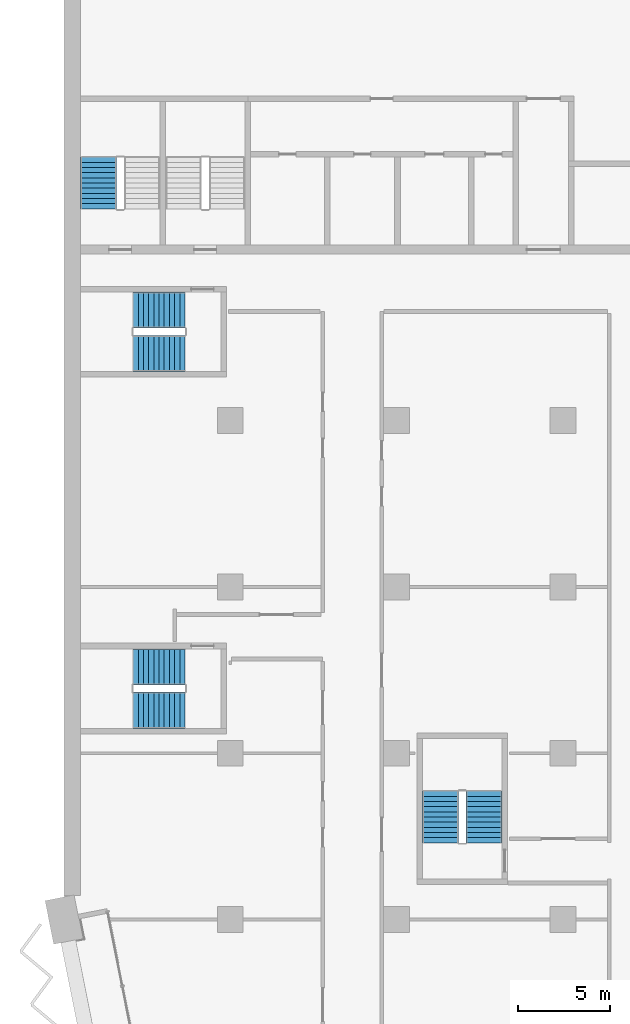
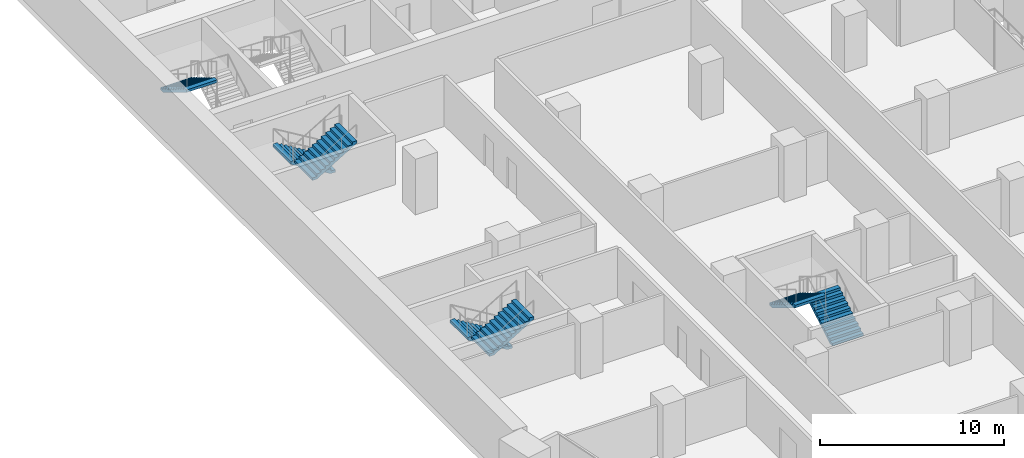
# One storey, part 20 of 29: 7 stair flights, 4 elements without a shape of their own.
"""IFC4 building model written with IfcOpenShell, lengths in metres."""

from ifc_helpers import new_model, si_unit, direction, frame, origin, place, context, subcontext, project, spatial, polyline, outline, extrude, material, type_object, element, aggregate, save


model = new_model("IFC4")

# Units and contexts
model_context = context("Model", 3, precision=1e-05, world=origin(), true_north=direction((0.0, 1.0)))
body_context = subcontext(model_context, "Body", "Model", "MODEL_VIEW")
ifc_project = project(units=[si_unit("LENGTHUNIT", "METRE"), si_unit("AREAUNIT", "SQUARE_METRE"), si_unit("VOLUMEUNIT", "CUBIC_METRE"), si_unit("PLANEANGLEUNIT", "RADIAN"), si_unit("MASSUNIT", "GRAM", prefix="KILO")], contexts=[model_context])

# Site, building, storey
site_placement = place(None, origin())
site = spatial("IfcSite", under=ifc_project, at=site_placement, CompositionType="ELEMENT")
building_placement = place(site_placement, origin())
building = spatial("IfcBuilding", under=site, at=building_placement, Name="Hunhe Ridgeline Campus", CompositionType="ELEMENT")
storey_placement = place(building_placement, frame((0.0, 0.0, 65.39990234375)))
storey = spatial("IfcBuildingStorey", under=building, at=storey_placement, Name="L15", CompositionType="ELEMENT", Elevation=65.39990234375)

# Stair, stair flight
ifc_material = material(Name="Concrete C40", Category="concrete")
stair_type = type_object("IfcStairType", Name="Reinforced concrete dog-leg stair 1950 Concrete C40", PredefinedType="HALF_TURN_STAIR", material=ifc_material)
stair_1_placement = place(storey_placement, origin())
stair_1 = element("IfcStair", 1, at=stair_1_placement, inside=storey, type_object=stair_type, Name="L15 S3", PredefinedType="HALF_TURN_STAIR")
stair_flight_type = type_object("IfcStairFlightType", Name="Reinforced concrete stair flight 1950 Concrete C40", PredefinedType="STRAIGHT", material=ifc_material)
stair_flight_1_placement = place(storey_placement, frame((1.875, 68.25, 1.85009765625), z_axis=(0.0, 0.0, 1.0), x_axis=(0.0, -1.0, 0.0)))
stair_flight_1 = element("IfcStairFlight", 2, at=stair_flight_1_placement, type_object=stair_flight_type, Name="ST3 flight 2", NumberOfRisers=11, NumberOfTreads=10, PredefinedType="STRAIGHT", RiserHeight=0.168181818, TreadLength=0.28, context=body_context, shape_type="SweptSolid", body=[
    extrude(outline(polyline([(0.0, 0.0), (0.0, 0.168212890625), (0.280029296875, 0.168212890625), (0.280029296875, 0.33642578125), (0.56005859375, 0.33642578125), (0.56005859375, 0.504638671875), (0.840087890625, 0.504638671875), (0.840087890625, 0.672607421875), (1.1201171875, 0.672607421875), (1.1201171875, 0.8408203125), (1.39990234375, 0.8408203125), (1.39990234375, 1.009033203125), (1.679931640625, 1.009033203125), (1.679931640625, 1.17724609375), (1.9599609375, 1.17724609375), (1.9599609375, 1.345458984375), (2.239990234375, 1.345458984375), (2.239990234375, 1.513671875), (2.52001953125, 1.513671875), (2.52001953125, 1.681884765625), (2.800048828125, 1.681884765625), (2.800048828125, 1.85009765625), (2.800048828125, 1.5068359375), (0.291015625, 0.0), (0.0, 0.0)])), frame((0.0, 0.97509765625, 0.0), z_axis=(0.0, -1.0, 0.0), x_axis=(1.0, 0.0, 0.0)), (0.0, 0.0, 1.0), 1.949951171875),
    extrude(outline(polyline([(0.030029296875, 0.030029296875), (0.030029296875, 0.13818359375), (0.31005859375, 0.13818359375), (0.31005859375, 0.306396484375), (0.590087890625, 0.306396484375), (0.590087890625, 0.474609375), (0.8701171875, 0.474609375), (0.8701171875, 0.642578125), (1.14990234375, 0.642578125), (1.14990234375, 0.810791015625), (1.429931640625, 0.810791015625), (1.429931640625, 0.97900390625), (1.7099609375, 0.97900390625), (1.7099609375, 1.147216796875), (1.989990234375, 1.147216796875), (1.989990234375, 1.3154296875), (2.27001953125, 1.3154296875), (2.27001953125, 1.483642578125), (2.550048828125, 1.483642578125), (2.550048828125, 1.65185546875), (2.77001953125, 1.65185546875), (2.77001953125, 1.52392578125), (0.28271484375, 0.030029296875), (0.030029296875, 0.030029296875)])), frame((0.0, -0.070068359375, 0.0), z_axis=(0.0, -1.0, 0.0), x_axis=(1.0, 0.0, 0.0)), (0.0, 0.0, 1.0), 0.019775390625),
    extrude(outline(polyline([(0.030029296875, 0.030029296875), (0.030029296875, 0.13818359375), (0.31005859375, 0.13818359375), (0.31005859375, 0.306396484375), (0.590087890625, 0.306396484375), (0.590087890625, 0.474609375), (0.8701171875, 0.474609375), (0.8701171875, 0.642578125), (1.14990234375, 0.642578125), (1.14990234375, 0.810791015625), (1.429931640625, 0.810791015625), (1.429931640625, 0.97900390625), (1.7099609375, 0.97900390625), (1.7099609375, 1.147216796875), (1.989990234375, 1.147216796875), (1.989990234375, 1.3154296875), (2.27001953125, 1.3154296875), (2.27001953125, 1.483642578125), (2.550048828125, 1.483642578125), (2.550048828125, 1.65185546875), (2.77001953125, 1.65185546875), (2.77001953125, 1.52392578125), (0.28271484375, 0.030029296875), (0.030029296875, 0.030029296875)])), frame((0.0, 0.010009765625, 0.0), z_axis=(0.0, -1.0, 0.0), x_axis=(1.0, 0.0, 0.0)), (0.0, 0.0, 1.0), 0.019775390625),
    extrude(outline(polyline([(0.030029296875, 0.030029296875), (0.030029296875, 0.13818359375), (0.31005859375, 0.13818359375), (0.31005859375, 0.306396484375), (0.590087890625, 0.306396484375), (0.590087890625, 0.474609375), (0.8701171875, 0.474609375), (0.8701171875, 0.642578125), (1.14990234375, 0.642578125), (1.14990234375, 0.810791015625), (1.429931640625, 0.810791015625), (1.429931640625, 0.97900390625), (1.7099609375, 0.97900390625), (1.7099609375, 1.147216796875), (1.989990234375, 1.147216796875), (1.989990234375, 1.3154296875), (2.27001953125, 1.3154296875), (2.27001953125, 1.483642578125), (2.550048828125, 1.483642578125), (2.550048828125, 1.65185546875), (2.77001953125, 1.65185546875), (2.77001953125, 1.52392578125), (0.28271484375, 0.030029296875), (0.030029296875, 0.030029296875)])), frame((0.0, 0.090087890625, 0.0), z_axis=(0.0, -1.0, 0.0), x_axis=(1.0, 0.0, 0.0)), (0.0, 0.0, 1.0), 0.019775390625),
])
aggregate(stair_1, [stair_flight_1])

# Stair, stair flights
stair_2_placement = place(storey_placement, origin())
stair_2 = element("IfcStair", 3, at=stair_2_placement, inside=storey, type_object=stair_type, Name="L15 W3", PredefinedType="HALF_TURN_STAIR")
stair_flight_2_placement = place(storey_placement, frame((22.72509765625, 31.14990234375, 0.0), z_axis=(0.0, 0.0, 1.0), x_axis=(0.0, 1.0, 0.0)))
stair_flight_2 = element("IfcStairFlight", 4, at=stair_flight_2_placement, type_object=stair_flight_type, Name="ST9 flight 1", NumberOfRisers=11, NumberOfTreads=10, PredefinedType="STRAIGHT", RiserHeight=0.168181818, TreadLength=0.28, context=body_context, shape_type="SweptSolid", body=[
    extrude(outline(polyline([(0.0, 0.0), (0.0, 0.168212890625), (0.280029296875, 0.168212890625), (0.280029296875, 0.33642578125), (0.56005859375, 0.33642578125), (0.56005859375, 0.504638671875), (0.840087890625, 0.504638671875), (0.840087890625, 0.672607421875), (1.1201171875, 0.672607421875), (1.1201171875, 0.8408203125), (1.39990234375, 0.8408203125), (1.39990234375, 1.009033203125), (1.679931640625, 1.009033203125), (1.679931640625, 1.17724609375), (1.9599609375, 1.17724609375), (1.9599609375, 1.345458984375), (2.239990234375, 1.345458984375), (2.239990234375, 1.513671875), (2.52001953125, 1.513671875), (2.52001953125, 1.681884765625), (2.800048828125, 1.681884765625), (2.800048828125, 1.85009765625), (2.800048828125, 1.5068359375), (0.291015625, 0.0), (0.0, 0.0)])), frame((0.0, 0.97509765625, 0.0), z_axis=(0.0, -1.0, 0.0), x_axis=(1.0, 0.0, 0.0)), (0.0, 0.0, 1.0), 1.949951171875),
    extrude(outline(polyline([(0.030029296875, 0.030029296875), (0.030029296875, 0.13818359375), (0.31005859375, 0.13818359375), (0.31005859375, 0.306396484375), (0.590087890625, 0.306396484375), (0.590087890625, 0.474609375), (0.8701171875, 0.474609375), (0.8701171875, 0.642578125), (1.14990234375, 0.642578125), (1.14990234375, 0.810791015625), (1.429931640625, 0.810791015625), (1.429931640625, 0.97900390625), (1.7099609375, 0.97900390625), (1.7099609375, 1.147216796875), (1.989990234375, 1.147216796875), (1.989990234375, 1.3154296875), (2.27001953125, 1.3154296875), (2.27001953125, 1.483642578125), (2.550048828125, 1.483642578125), (2.550048828125, 1.65185546875), (2.77001953125, 1.65185546875), (2.77001953125, 1.52392578125), (0.28271484375, 0.030029296875), (0.030029296875, 0.030029296875)])), frame((0.0, -0.070068359375, 0.0), z_axis=(0.0, -1.0, 0.0), x_axis=(1.0, 0.0, 0.0)), (0.0, 0.0, 1.0), 0.019775390625),
    extrude(outline(polyline([(0.030029296875, 0.030029296875), (0.030029296875, 0.13818359375), (0.31005859375, 0.13818359375), (0.31005859375, 0.306396484375), (0.590087890625, 0.306396484375), (0.590087890625, 0.474609375), (0.8701171875, 0.474609375), (0.8701171875, 0.642578125), (1.14990234375, 0.642578125), (1.14990234375, 0.810791015625), (1.429931640625, 0.810791015625), (1.429931640625, 0.97900390625), (1.7099609375, 0.97900390625), (1.7099609375, 1.147216796875), (1.989990234375, 1.147216796875), (1.989990234375, 1.3154296875), (2.27001953125, 1.3154296875), (2.27001953125, 1.483642578125), (2.550048828125, 1.483642578125), (2.550048828125, 1.65185546875), (2.77001953125, 1.65185546875), (2.77001953125, 1.52392578125), (0.28271484375, 0.030029296875), (0.030029296875, 0.030029296875)])), frame((0.0, 0.010009765625, 0.0), z_axis=(0.0, -1.0, 0.0), x_axis=(1.0, 0.0, 0.0)), (0.0, 0.0, 1.0), 0.019775390625),
    extrude(outline(polyline([(0.030029296875, 0.030029296875), (0.030029296875, 0.13818359375), (0.31005859375, 0.13818359375), (0.31005859375, 0.306396484375), (0.590087890625, 0.306396484375), (0.590087890625, 0.474609375), (0.8701171875, 0.474609375), (0.8701171875, 0.642578125), (1.14990234375, 0.642578125), (1.14990234375, 0.810791015625), (1.429931640625, 0.810791015625), (1.429931640625, 0.97900390625), (1.7099609375, 0.97900390625), (1.7099609375, 1.147216796875), (1.989990234375, 1.147216796875), (1.989990234375, 1.3154296875), (2.27001953125, 1.3154296875), (2.27001953125, 1.483642578125), (2.550048828125, 1.483642578125), (2.550048828125, 1.65185546875), (2.77001953125, 1.65185546875), (2.77001953125, 1.52392578125), (0.28271484375, 0.030029296875), (0.030029296875, 0.030029296875)])), frame((0.0, 0.090087890625, 0.0), z_axis=(0.0, -1.0, 0.0), x_axis=(1.0, 0.0, 0.0)), (0.0, 0.0, 1.0), 0.019775390625),
])
stair_flight_3_placement = place(storey_placement, frame((20.375, 33.949951171875, 1.85009765625), z_axis=(0.0, 0.0, 1.0), x_axis=(0.0, -1.0, 0.0)))
stair_flight_3 = element("IfcStairFlight", 5, at=stair_flight_3_placement, type_object=stair_flight_type, Name="ST9 flight 2", NumberOfRisers=11, NumberOfTreads=10, PredefinedType="STRAIGHT", RiserHeight=0.168181818, TreadLength=0.28, context=body_context, shape_type="SweptSolid", body=[
    extrude(outline(polyline([(0.0, 0.0), (0.0, 0.168212890625), (0.280029296875, 0.168212890625), (0.280029296875, 0.33642578125), (0.56005859375, 0.33642578125), (0.56005859375, 0.504638671875), (0.840087890625, 0.504638671875), (0.840087890625, 0.672607421875), (1.1201171875, 0.672607421875), (1.1201171875, 0.8408203125), (1.39990234375, 0.8408203125), (1.39990234375, 1.009033203125), (1.679931640625, 1.009033203125), (1.679931640625, 1.17724609375), (1.9599609375, 1.17724609375), (1.9599609375, 1.345458984375), (2.239990234375, 1.345458984375), (2.239990234375, 1.513671875), (2.52001953125, 1.513671875), (2.52001953125, 1.681884765625), (2.800048828125, 1.681884765625), (2.800048828125, 1.85009765625), (2.800048828125, 1.5068359375), (0.291015625, 0.0), (0.0, 0.0)])), frame((0.0, 0.97509765625, 0.0), z_axis=(0.0, -1.0, 0.0), x_axis=(1.0, 0.0, 0.0)), (0.0, 0.0, 1.0), 1.949951171875),
    extrude(outline(polyline([(0.030029296875, 0.030029296875), (0.030029296875, 0.13818359375), (0.31005859375, 0.13818359375), (0.31005859375, 0.306396484375), (0.590087890625, 0.306396484375), (0.590087890625, 0.474609375), (0.8701171875, 0.474609375), (0.8701171875, 0.642578125), (1.14990234375, 0.642578125), (1.14990234375, 0.810791015625), (1.429931640625, 0.810791015625), (1.429931640625, 0.97900390625), (1.7099609375, 0.97900390625), (1.7099609375, 1.147216796875), (1.989990234375, 1.147216796875), (1.989990234375, 1.3154296875), (2.27001953125, 1.3154296875), (2.27001953125, 1.483642578125), (2.550048828125, 1.483642578125), (2.550048828125, 1.65185546875), (2.77001953125, 1.65185546875), (2.77001953125, 1.52392578125), (0.28271484375, 0.030029296875), (0.030029296875, 0.030029296875)])), frame((0.0, -0.070068359375, 0.0), z_axis=(0.0, -1.0, 0.0), x_axis=(1.0, 0.0, 0.0)), (0.0, 0.0, 1.0), 0.019775390625),
    extrude(outline(polyline([(0.030029296875, 0.030029296875), (0.030029296875, 0.13818359375), (0.31005859375, 0.13818359375), (0.31005859375, 0.306396484375), (0.590087890625, 0.306396484375), (0.590087890625, 0.474609375), (0.8701171875, 0.474609375), (0.8701171875, 0.642578125), (1.14990234375, 0.642578125), (1.14990234375, 0.810791015625), (1.429931640625, 0.810791015625), (1.429931640625, 0.97900390625), (1.7099609375, 0.97900390625), (1.7099609375, 1.147216796875), (1.989990234375, 1.147216796875), (1.989990234375, 1.3154296875), (2.27001953125, 1.3154296875), (2.27001953125, 1.483642578125), (2.550048828125, 1.483642578125), (2.550048828125, 1.65185546875), (2.77001953125, 1.65185546875), (2.77001953125, 1.52392578125), (0.28271484375, 0.030029296875), (0.030029296875, 0.030029296875)])), frame((0.0, 0.010009765625, 0.0), z_axis=(0.0, -1.0, 0.0), x_axis=(1.0, 0.0, 0.0)), (0.0, 0.0, 1.0), 0.019775390625),
    extrude(outline(polyline([(0.030029296875, 0.030029296875), (0.030029296875, 0.13818359375), (0.31005859375, 0.13818359375), (0.31005859375, 0.306396484375), (0.590087890625, 0.306396484375), (0.590087890625, 0.474609375), (0.8701171875, 0.474609375), (0.8701171875, 0.642578125), (1.14990234375, 0.642578125), (1.14990234375, 0.810791015625), (1.429931640625, 0.810791015625), (1.429931640625, 0.97900390625), (1.7099609375, 0.97900390625), (1.7099609375, 1.147216796875), (1.989990234375, 1.147216796875), (1.989990234375, 1.3154296875), (2.27001953125, 1.3154296875), (2.27001953125, 1.483642578125), (2.550048828125, 1.483642578125), (2.550048828125, 1.65185546875), (2.77001953125, 1.65185546875), (2.77001953125, 1.52392578125), (0.28271484375, 0.030029296875), (0.030029296875, 0.030029296875)])), frame((0.0, 0.090087890625, 0.0), z_axis=(0.0, -1.0, 0.0), x_axis=(1.0, 0.0, 0.0)), (0.0, 0.0, 1.0), 0.019775390625),
])
aggregate(stair_2, [stair_flight_2, stair_flight_3])

stair_3_placement = place(storey_placement, origin())
stair_3 = element("IfcStair", 6, at=stair_3_placement, inside=storey, type_object=stair_type, Name="L15 W1", PredefinedType="HALF_TURN_STAIR")
stair_flight_4_placement = place(storey_placement, frame((6.550048828125, 40.675048828125, 0.0), z_axis=(0.0, 0.0, 1.0), x_axis=(-1.0, 0.0, 0.0)))
stair_flight_4 = element("IfcStairFlight", 7, at=stair_flight_4_placement, type_object=stair_flight_type, Name="ST11 flight 1", NumberOfRisers=11, NumberOfTreads=10, PredefinedType="STRAIGHT", RiserHeight=0.168181818, TreadLength=0.28, context=body_context, shape_type="SweptSolid", body=[
    extrude(outline(polyline([(0.0, 0.0), (0.0, 0.168212890625), (0.280029296875, 0.168212890625), (0.280029296875, 0.33642578125), (0.56005859375, 0.33642578125), (0.56005859375, 0.504638671875), (0.840087890625, 0.504638671875), (0.840087890625, 0.672607421875), (1.1201171875, 0.672607421875), (1.1201171875, 0.8408203125), (1.39990234375, 0.8408203125), (1.39990234375, 1.009033203125), (1.679931640625, 1.009033203125), (1.679931640625, 1.17724609375), (1.9599609375, 1.17724609375), (1.9599609375, 1.345458984375), (2.239990234375, 1.345458984375), (2.239990234375, 1.513671875), (2.52001953125, 1.513671875), (2.52001953125, 1.681884765625), (2.800048828125, 1.681884765625), (2.800048828125, 1.85009765625), (2.800048828125, 1.5068359375), (0.291015625, 0.0), (0.0, 0.0)])), frame((0.0, 0.97509765625, 0.0), z_axis=(0.0, -1.0, 0.0), x_axis=(1.0, 0.0, 0.0)), (0.0, 0.0, 1.0), 1.949951171875),
    extrude(outline(polyline([(0.030029296875, 0.030029296875), (0.030029296875, 0.13818359375), (0.31005859375, 0.13818359375), (0.31005859375, 0.306396484375), (0.590087890625, 0.306396484375), (0.590087890625, 0.474609375), (0.8701171875, 0.474609375), (0.8701171875, 0.642578125), (1.14990234375, 0.642578125), (1.14990234375, 0.810791015625), (1.429931640625, 0.810791015625), (1.429931640625, 0.97900390625), (1.7099609375, 0.97900390625), (1.7099609375, 1.147216796875), (1.989990234375, 1.147216796875), (1.989990234375, 1.3154296875), (2.27001953125, 1.3154296875), (2.27001953125, 1.483642578125), (2.550048828125, 1.483642578125), (2.550048828125, 1.65185546875), (2.77001953125, 1.65185546875), (2.77001953125, 1.52392578125), (0.28271484375, 0.030029296875), (0.030029296875, 0.030029296875)])), frame((0.0, -0.070068359375, 0.0), z_axis=(0.0, -1.0, 0.0), x_axis=(1.0, 0.0, 0.0)), (0.0, 0.0, 1.0), 0.019775390625),
    extrude(outline(polyline([(0.030029296875, 0.030029296875), (0.030029296875, 0.13818359375), (0.31005859375, 0.13818359375), (0.31005859375, 0.306396484375), (0.590087890625, 0.306396484375), (0.590087890625, 0.474609375), (0.8701171875, 0.474609375), (0.8701171875, 0.642578125), (1.14990234375, 0.642578125), (1.14990234375, 0.810791015625), (1.429931640625, 0.810791015625), (1.429931640625, 0.97900390625), (1.7099609375, 0.97900390625), (1.7099609375, 1.147216796875), (1.989990234375, 1.147216796875), (1.989990234375, 1.3154296875), (2.27001953125, 1.3154296875), (2.27001953125, 1.483642578125), (2.550048828125, 1.483642578125), (2.550048828125, 1.65185546875), (2.77001953125, 1.65185546875), (2.77001953125, 1.52392578125), (0.28271484375, 0.030029296875), (0.030029296875, 0.030029296875)])), frame((0.0, 0.010009765625, 0.0), z_axis=(0.0, -1.0, 0.0), x_axis=(1.0, 0.0, 0.0)), (0.0, 0.0, 1.0), 0.019775390625),
    extrude(outline(polyline([(0.030029296875, 0.030029296875), (0.030029296875, 0.13818359375), (0.31005859375, 0.13818359375), (0.31005859375, 0.306396484375), (0.590087890625, 0.306396484375), (0.590087890625, 0.474609375), (0.8701171875, 0.474609375), (0.8701171875, 0.642578125), (1.14990234375, 0.642578125), (1.14990234375, 0.810791015625), (1.429931640625, 0.810791015625), (1.429931640625, 0.97900390625), (1.7099609375, 0.97900390625), (1.7099609375, 1.147216796875), (1.989990234375, 1.147216796875), (1.989990234375, 1.3154296875), (2.27001953125, 1.3154296875), (2.27001953125, 1.483642578125), (2.550048828125, 1.483642578125), (2.550048828125, 1.65185546875), (2.77001953125, 1.65185546875), (2.77001953125, 1.52392578125), (0.28271484375, 0.030029296875), (0.030029296875, 0.030029296875)])), frame((0.0, 0.090087890625, 0.0), z_axis=(0.0, -1.0, 0.0), x_axis=(1.0, 0.0, 0.0)), (0.0, 0.0, 1.0), 0.019775390625),
])
stair_flight_5_placement = place(storey_placement, frame((3.75, 38.324951171875, 1.85009765625), z_axis=(0.0, 0.0, 1.0), x_axis=(1.0, 0.0, 0.0)))
stair_flight_5 = element("IfcStairFlight", 8, at=stair_flight_5_placement, type_object=stair_flight_type, Name="ST11 flight 2", NumberOfRisers=11, NumberOfTreads=10, PredefinedType="STRAIGHT", RiserHeight=0.168181818, TreadLength=0.28, context=body_context, shape_type="SweptSolid", body=[
    extrude(outline(polyline([(0.0, 0.0), (0.0, 0.168212890625), (0.280029296875, 0.168212890625), (0.280029296875, 0.33642578125), (0.56005859375, 0.33642578125), (0.56005859375, 0.504638671875), (0.840087890625, 0.504638671875), (0.840087890625, 0.672607421875), (1.1201171875, 0.672607421875), (1.1201171875, 0.8408203125), (1.39990234375, 0.8408203125), (1.39990234375, 1.009033203125), (1.679931640625, 1.009033203125), (1.679931640625, 1.17724609375), (1.9599609375, 1.17724609375), (1.9599609375, 1.345458984375), (2.239990234375, 1.345458984375), (2.239990234375, 1.513671875), (2.52001953125, 1.513671875), (2.52001953125, 1.681884765625), (2.800048828125, 1.681884765625), (2.800048828125, 1.85009765625), (2.800048828125, 1.5068359375), (0.291015625, 0.0), (0.0, 0.0)])), frame((0.0, 0.97509765625, 0.0), z_axis=(0.0, -1.0, 0.0), x_axis=(1.0, 0.0, 0.0)), (0.0, 0.0, 1.0), 1.949951171875),
    extrude(outline(polyline([(0.030029296875, 0.030029296875), (0.030029296875, 0.13818359375), (0.31005859375, 0.13818359375), (0.31005859375, 0.306396484375), (0.590087890625, 0.306396484375), (0.590087890625, 0.474609375), (0.8701171875, 0.474609375), (0.8701171875, 0.642578125), (1.14990234375, 0.642578125), (1.14990234375, 0.810791015625), (1.429931640625, 0.810791015625), (1.429931640625, 0.97900390625), (1.7099609375, 0.97900390625), (1.7099609375, 1.147216796875), (1.989990234375, 1.147216796875), (1.989990234375, 1.3154296875), (2.27001953125, 1.3154296875), (2.27001953125, 1.483642578125), (2.550048828125, 1.483642578125), (2.550048828125, 1.65185546875), (2.77001953125, 1.65185546875), (2.77001953125, 1.52392578125), (0.28271484375, 0.030029296875), (0.030029296875, 0.030029296875)])), frame((0.0, -0.070068359375, 0.0), z_axis=(0.0, -1.0, 0.0), x_axis=(1.0, 0.0, 0.0)), (0.0, 0.0, 1.0), 0.019775390625),
    extrude(outline(polyline([(0.030029296875, 0.030029296875), (0.030029296875, 0.13818359375), (0.31005859375, 0.13818359375), (0.31005859375, 0.306396484375), (0.590087890625, 0.306396484375), (0.590087890625, 0.474609375), (0.8701171875, 0.474609375), (0.8701171875, 0.642578125), (1.14990234375, 0.642578125), (1.14990234375, 0.810791015625), (1.429931640625, 0.810791015625), (1.429931640625, 0.97900390625), (1.7099609375, 0.97900390625), (1.7099609375, 1.147216796875), (1.989990234375, 1.147216796875), (1.989990234375, 1.3154296875), (2.27001953125, 1.3154296875), (2.27001953125, 1.483642578125), (2.550048828125, 1.483642578125), (2.550048828125, 1.65185546875), (2.77001953125, 1.65185546875), (2.77001953125, 1.52392578125), (0.28271484375, 0.030029296875), (0.030029296875, 0.030029296875)])), frame((0.0, 0.010009765625, 0.0), z_axis=(0.0, -1.0, 0.0), x_axis=(1.0, 0.0, 0.0)), (0.0, 0.0, 1.0), 0.019775390625),
    extrude(outline(polyline([(0.030029296875, 0.030029296875), (0.030029296875, 0.13818359375), (0.31005859375, 0.13818359375), (0.31005859375, 0.306396484375), (0.590087890625, 0.306396484375), (0.590087890625, 0.474609375), (0.8701171875, 0.474609375), (0.8701171875, 0.642578125), (1.14990234375, 0.642578125), (1.14990234375, 0.810791015625), (1.429931640625, 0.810791015625), (1.429931640625, 0.97900390625), (1.7099609375, 0.97900390625), (1.7099609375, 1.147216796875), (1.989990234375, 1.147216796875), (1.989990234375, 1.3154296875), (2.27001953125, 1.3154296875), (2.27001953125, 1.483642578125), (2.550048828125, 1.483642578125), (2.550048828125, 1.65185546875), (2.77001953125, 1.65185546875), (2.77001953125, 1.52392578125), (0.28271484375, 0.030029296875), (0.030029296875, 0.030029296875)])), frame((0.0, 0.090087890625, 0.0), z_axis=(0.0, -1.0, 0.0), x_axis=(1.0, 0.0, 0.0)), (0.0, 0.0, 1.0), 0.019775390625),
])
aggregate(stair_3, [stair_flight_4, stair_flight_5])

stair_4_placement = place(storey_placement, origin())
stair_4 = element("IfcStair", 9, at=stair_4_placement, inside=storey, type_object=stair_type, Name="L15 W2", PredefinedType="HALF_TURN_STAIR")
stair_flight_6_placement = place(storey_placement, frame((6.550048828125, 59.97509765625, 0.0), z_axis=(0.0, 0.0, 1.0), x_axis=(-1.0, 0.0, 0.0)))
stair_flight_6 = element("IfcStairFlight", 10, at=stair_flight_6_placement, type_object=stair_flight_type, Name="ST12 flight 1", NumberOfRisers=11, NumberOfTreads=10, PredefinedType="STRAIGHT", RiserHeight=0.168181818, TreadLength=0.28, context=body_context, shape_type="SweptSolid", body=[
    extrude(outline(polyline([(0.0, 0.0), (0.0, 0.168212890625), (0.280029296875, 0.168212890625), (0.280029296875, 0.33642578125), (0.56005859375, 0.33642578125), (0.56005859375, 0.504638671875), (0.840087890625, 0.504638671875), (0.840087890625, 0.672607421875), (1.1201171875, 0.672607421875), (1.1201171875, 0.8408203125), (1.39990234375, 0.8408203125), (1.39990234375, 1.009033203125), (1.679931640625, 1.009033203125), (1.679931640625, 1.17724609375), (1.9599609375, 1.17724609375), (1.9599609375, 1.345458984375), (2.239990234375, 1.345458984375), (2.239990234375, 1.513671875), (2.52001953125, 1.513671875), (2.52001953125, 1.681884765625), (2.800048828125, 1.681884765625), (2.800048828125, 1.85009765625), (2.800048828125, 1.5068359375), (0.291015625, 0.0), (0.0, 0.0)])), frame((0.0, 0.97509765625, 0.0), z_axis=(0.0, -1.0, 0.0), x_axis=(1.0, 0.0, 0.0)), (0.0, 0.0, 1.0), 1.949951171875),
    extrude(outline(polyline([(0.030029296875, 0.030029296875), (0.030029296875, 0.13818359375), (0.31005859375, 0.13818359375), (0.31005859375, 0.306396484375), (0.590087890625, 0.306396484375), (0.590087890625, 0.474609375), (0.8701171875, 0.474609375), (0.8701171875, 0.642578125), (1.14990234375, 0.642578125), (1.14990234375, 0.810791015625), (1.429931640625, 0.810791015625), (1.429931640625, 0.97900390625), (1.7099609375, 0.97900390625), (1.7099609375, 1.147216796875), (1.989990234375, 1.147216796875), (1.989990234375, 1.3154296875), (2.27001953125, 1.3154296875), (2.27001953125, 1.483642578125), (2.550048828125, 1.483642578125), (2.550048828125, 1.65185546875), (2.77001953125, 1.65185546875), (2.77001953125, 1.52392578125), (0.28271484375, 0.030029296875), (0.030029296875, 0.030029296875)])), frame((0.0, -0.070068359375, 0.0), z_axis=(0.0, -1.0, 0.0), x_axis=(1.0, 0.0, 0.0)), (0.0, 0.0, 1.0), 0.019775390625),
    extrude(outline(polyline([(0.030029296875, 0.030029296875), (0.030029296875, 0.13818359375), (0.31005859375, 0.13818359375), (0.31005859375, 0.306396484375), (0.590087890625, 0.306396484375), (0.590087890625, 0.474609375), (0.8701171875, 0.474609375), (0.8701171875, 0.642578125), (1.14990234375, 0.642578125), (1.14990234375, 0.810791015625), (1.429931640625, 0.810791015625), (1.429931640625, 0.97900390625), (1.7099609375, 0.97900390625), (1.7099609375, 1.147216796875), (1.989990234375, 1.147216796875), (1.989990234375, 1.3154296875), (2.27001953125, 1.3154296875), (2.27001953125, 1.483642578125), (2.550048828125, 1.483642578125), (2.550048828125, 1.65185546875), (2.77001953125, 1.65185546875), (2.77001953125, 1.52392578125), (0.28271484375, 0.030029296875), (0.030029296875, 0.030029296875)])), frame((0.0, 0.010009765625, 0.0), z_axis=(0.0, -1.0, 0.0), x_axis=(1.0, 0.0, 0.0)), (0.0, 0.0, 1.0), 0.019775390625),
    extrude(outline(polyline([(0.030029296875, 0.030029296875), (0.030029296875, 0.13818359375), (0.31005859375, 0.13818359375), (0.31005859375, 0.306396484375), (0.590087890625, 0.306396484375), (0.590087890625, 0.474609375), (0.8701171875, 0.474609375), (0.8701171875, 0.642578125), (1.14990234375, 0.642578125), (1.14990234375, 0.810791015625), (1.429931640625, 0.810791015625), (1.429931640625, 0.97900390625), (1.7099609375, 0.97900390625), (1.7099609375, 1.147216796875), (1.989990234375, 1.147216796875), (1.989990234375, 1.3154296875), (2.27001953125, 1.3154296875), (2.27001953125, 1.483642578125), (2.550048828125, 1.483642578125), (2.550048828125, 1.65185546875), (2.77001953125, 1.65185546875), (2.77001953125, 1.52392578125), (0.28271484375, 0.030029296875), (0.030029296875, 0.030029296875)])), frame((0.0, 0.090087890625, 0.0), z_axis=(0.0, -1.0, 0.0), x_axis=(1.0, 0.0, 0.0)), (0.0, 0.0, 1.0), 0.019775390625),
])
stair_flight_7_placement = place(storey_placement, frame((3.75, 57.625, 1.85009765625), z_axis=(0.0, 0.0, 1.0), x_axis=(1.0, 0.0, 0.0)))
stair_flight_7 = element("IfcStairFlight", 11, at=stair_flight_7_placement, type_object=stair_flight_type, Name="ST12 flight 2", NumberOfRisers=11, NumberOfTreads=10, PredefinedType="STRAIGHT", RiserHeight=0.168181818, TreadLength=0.28, context=body_context, shape_type="SweptSolid", body=[
    extrude(outline(polyline([(0.0, 0.0), (0.0, 0.168212890625), (0.280029296875, 0.168212890625), (0.280029296875, 0.33642578125), (0.56005859375, 0.33642578125), (0.56005859375, 0.504638671875), (0.840087890625, 0.504638671875), (0.840087890625, 0.672607421875), (1.1201171875, 0.672607421875), (1.1201171875, 0.8408203125), (1.39990234375, 0.8408203125), (1.39990234375, 1.009033203125), (1.679931640625, 1.009033203125), (1.679931640625, 1.17724609375), (1.9599609375, 1.17724609375), (1.9599609375, 1.345458984375), (2.239990234375, 1.345458984375), (2.239990234375, 1.513671875), (2.52001953125, 1.513671875), (2.52001953125, 1.681884765625), (2.800048828125, 1.681884765625), (2.800048828125, 1.85009765625), (2.800048828125, 1.5068359375), (0.291015625, 0.0), (0.0, 0.0)])), frame((0.0, 0.97509765625, 0.0), z_axis=(0.0, -1.0, 0.0), x_axis=(1.0, 0.0, 0.0)), (0.0, 0.0, 1.0), 1.949951171875),
    extrude(outline(polyline([(0.030029296875, 0.030029296875), (0.030029296875, 0.13818359375), (0.31005859375, 0.13818359375), (0.31005859375, 0.306396484375), (0.590087890625, 0.306396484375), (0.590087890625, 0.474609375), (0.8701171875, 0.474609375), (0.8701171875, 0.642578125), (1.14990234375, 0.642578125), (1.14990234375, 0.810791015625), (1.429931640625, 0.810791015625), (1.429931640625, 0.97900390625), (1.7099609375, 0.97900390625), (1.7099609375, 1.147216796875), (1.989990234375, 1.147216796875), (1.989990234375, 1.3154296875), (2.27001953125, 1.3154296875), (2.27001953125, 1.483642578125), (2.550048828125, 1.483642578125), (2.550048828125, 1.65185546875), (2.77001953125, 1.65185546875), (2.77001953125, 1.52392578125), (0.28271484375, 0.030029296875), (0.030029296875, 0.030029296875)])), frame((0.0, -0.070068359375, 0.0), z_axis=(0.0, -1.0, 0.0), x_axis=(1.0, 0.0, 0.0)), (0.0, 0.0, 1.0), 0.019775390625),
    extrude(outline(polyline([(0.030029296875, 0.030029296875), (0.030029296875, 0.13818359375), (0.31005859375, 0.13818359375), (0.31005859375, 0.306396484375), (0.590087890625, 0.306396484375), (0.590087890625, 0.474609375), (0.8701171875, 0.474609375), (0.8701171875, 0.642578125), (1.14990234375, 0.642578125), (1.14990234375, 0.810791015625), (1.429931640625, 0.810791015625), (1.429931640625, 0.97900390625), (1.7099609375, 0.97900390625), (1.7099609375, 1.147216796875), (1.989990234375, 1.147216796875), (1.989990234375, 1.3154296875), (2.27001953125, 1.3154296875), (2.27001953125, 1.483642578125), (2.550048828125, 1.483642578125), (2.550048828125, 1.65185546875), (2.77001953125, 1.65185546875), (2.77001953125, 1.52392578125), (0.28271484375, 0.030029296875), (0.030029296875, 0.030029296875)])), frame((0.0, 0.010009765625, 0.0), z_axis=(0.0, -1.0, 0.0), x_axis=(1.0, 0.0, 0.0)), (0.0, 0.0, 1.0), 0.019775390625),
    extrude(outline(polyline([(0.030029296875, 0.030029296875), (0.030029296875, 0.13818359375), (0.31005859375, 0.13818359375), (0.31005859375, 0.306396484375), (0.590087890625, 0.306396484375), (0.590087890625, 0.474609375), (0.8701171875, 0.474609375), (0.8701171875, 0.642578125), (1.14990234375, 0.642578125), (1.14990234375, 0.810791015625), (1.429931640625, 0.810791015625), (1.429931640625, 0.97900390625), (1.7099609375, 0.97900390625), (1.7099609375, 1.147216796875), (1.989990234375, 1.147216796875), (1.989990234375, 1.3154296875), (2.27001953125, 1.3154296875), (2.27001953125, 1.483642578125), (2.550048828125, 1.483642578125), (2.550048828125, 1.65185546875), (2.77001953125, 1.65185546875), (2.77001953125, 1.52392578125), (0.28271484375, 0.030029296875), (0.030029296875, 0.030029296875)])), frame((0.0, 0.090087890625, 0.0), z_axis=(0.0, -1.0, 0.0), x_axis=(1.0, 0.0, 0.0)), (0.0, 0.0, 1.0), 0.019775390625),
])
aggregate(stair_4, [stair_flight_6, stair_flight_7])

save(model, "model.ifc")
